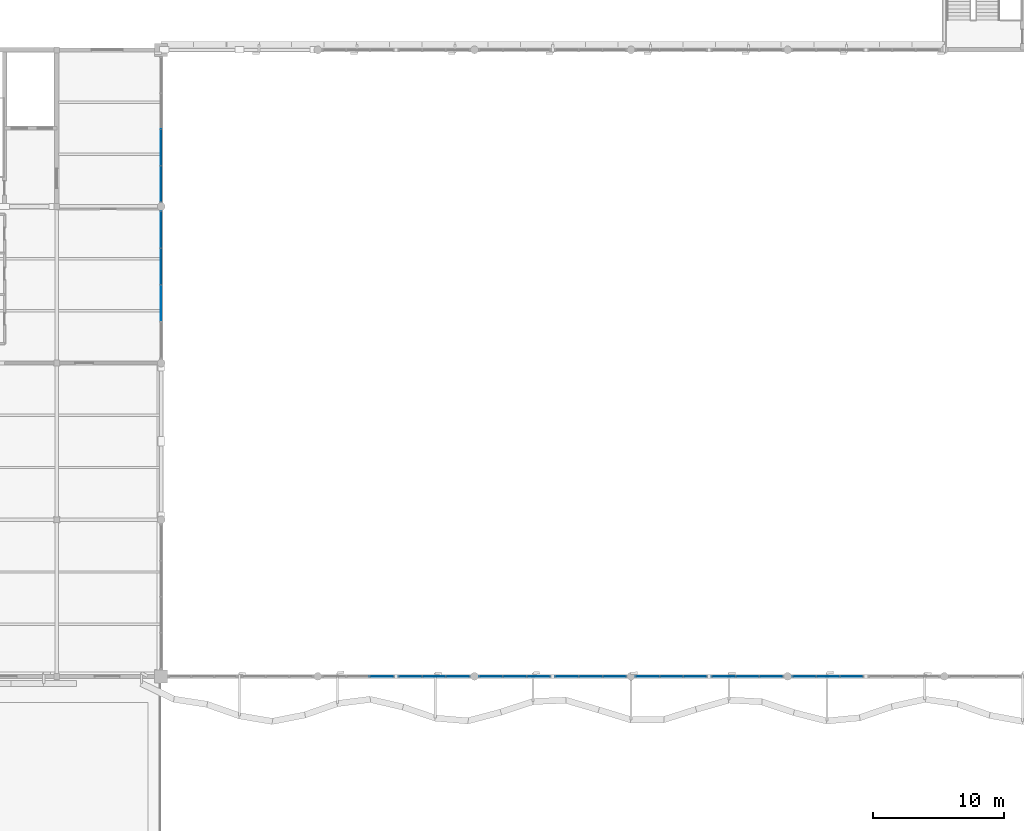
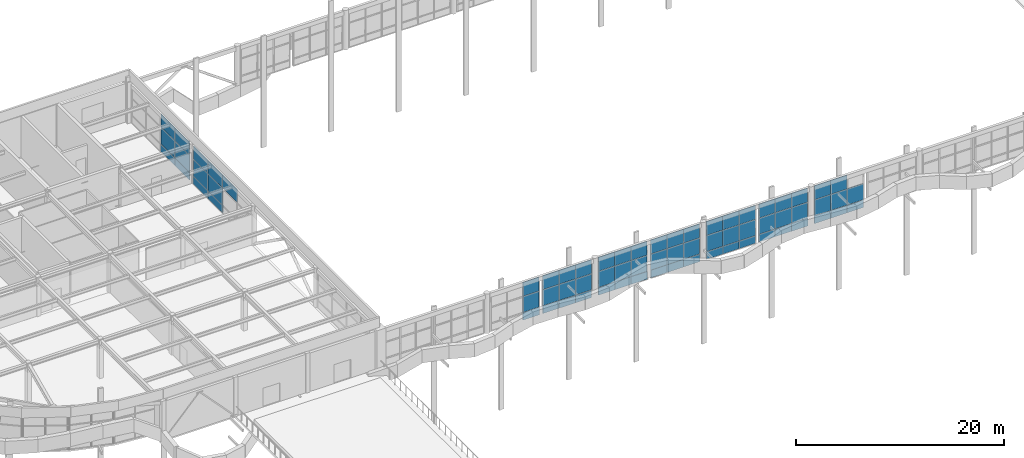
# One storey, part 35 of 63: 69 plates, 9 elements without a shape of their own.
"""IFC4 building model written with IfcOpenShell, lengths in metres."""

from ifc_helpers import new_model, si_unit, direction, frame, origin, origin_2d, place, context, subcontext, project, spatial, rectangle, extrude, material, layer, layer_set, type_object, element, aggregate, save


model = new_model("IFC4")

# Units and contexts
model_context = context("Model", 3, precision=1e-05, world=origin(), true_north=direction((0.0, 1.0)))
body_context = subcontext(model_context, "Body", "Model", "MODEL_VIEW")
ifc_project = project(units=[si_unit("LENGTHUNIT", "METRE"), si_unit("AREAUNIT", "SQUARE_METRE"), si_unit("VOLUMEUNIT", "CUBIC_METRE"), si_unit("PLANEANGLEUNIT", "RADIAN"), si_unit("MASSUNIT", "GRAM", prefix="KILO")], contexts=[model_context])

# Site, building, storey
site_placement = place(None, origin())
site = spatial("IfcSite", under=ifc_project, at=site_placement, CompositionType="ELEMENT")
building_placement = place(site_placement, origin())
building = spatial("IfcBuilding", under=site, at=building_placement, Name="Keelwater Ferry Terminal", CompositionType="ELEMENT")
storey_placement = place(building_placement, frame((0.0, 0.0, 10.199951171875)))
storey = spatial("IfcBuildingStorey", under=building, at=storey_placement, Name="L02", CompositionType="ELEMENT", Elevation=10.199951171875)

# Curtain wall, plate
ifc_material_1 = material(Name="Thermally broken unitised aluminium and triple glass", Category="aluminium")
ifc_layer_1 = layer(ifc_material_1, 0.179931640625)
ifc_layer_set_1 = layer_set([ifc_layer_1], Name="Thermally broken unitised aluminium and triple glass")
curtain_wall_type_1 = type_object("IfcCurtainWallType", Name="CW-04 Unitised Curtain Wall 5430x4450", PredefinedType="USERDEFINED", material=ifc_layer_set_1)
curtain_wall_1_placement = place(storey_placement, origin())
curtain_wall_1 = element("IfcCurtainWall", 1, at=curtain_wall_1_placement, inside=storey, type_object=curtain_wall_type_1, Name="Unitised Curtain Wall CW-L02-013", ObjectType="UNITISED CURTAIN WALL", PredefinedType="USERDEFINED")
ifc_material_2 = material(Name="Insulated white cassette spandrel", Category="aluminium")
ifc_layer_2 = layer(ifc_material_2, 0.094970703125)
ifc_layer_set_2 = layer_set([ifc_layer_2], Name="Insulated white cassette spandrel")
plate_type_1 = type_object("IfcPlateType", Name="CWP-S2 Insulated Spandrel Panel 95", PredefinedType="CURTAIN_PANEL", material=ifc_layer_set_2)
plate_1_placement = place(storey_placement, frame((64.89990234375, 42.0, 0.0), z_axis=(0.0, 0.0, 1.0), x_axis=(1.0, 0.0, 0.0)))
plate_1 = element("IfcPlate", 2, at=plate_1_placement, type_object=plate_type_1, Name="CW-L02-013 Panel 3.1", PredefinedType="CURTAIN_PANEL", context=body_context, shape_type="SweptSolid", body=[
    extrude(rectangle(XDim=1.81005859375, YDim=0.094970703125, at=origin_2d()), origin(), (0.0, 0.0, 1.0), 0.89990234375),
])

# Curtain wall, plates
curtain_wall_2_placement = place(storey_placement, origin())
curtain_wall_2 = element("IfcCurtainWall", 3, at=curtain_wall_2_placement, inside=storey, type_object=curtain_wall_type_1, Name="Unitised Curtain Wall CW-L02-014", ObjectType="UNITISED CURTAIN WALL", PredefinedType="USERDEFINED")
plate_2_placement = place(storey_placement, frame((67.10009765625, 42.0, 0.0), z_axis=(0.0, 0.0, 1.0), x_axis=(1.0, 0.0, 0.0)))
plate_2 = element("IfcPlate", 4, at=plate_2_placement, type_object=plate_type_1, Name="CW-L02-014 Panel 1.1", PredefinedType="CURTAIN_PANEL", context=body_context, shape_type="SweptSolid", body=[
    extrude(rectangle(XDim=1.81005859375, YDim=0.094970703125, at=origin_2d()), origin(), (0.0, 0.0, 1.0), 0.89990234375),
])
plate_3_placement = place(storey_placement, frame((68.909912109375, 42.0, 0.0), z_axis=(0.0, 0.0, 1.0), x_axis=(1.0, 0.0, 0.0)))
plate_3 = element("IfcPlate", 5, at=plate_3_placement, type_object=plate_type_1, Name="CW-L02-014 Panel 2.1", PredefinedType="CURTAIN_PANEL", context=body_context, shape_type="SweptSolid", body=[
    extrude(rectangle(XDim=1.81005859375, YDim=0.094970703125, at=origin_2d()), origin(), (0.0, 0.0, 1.0), 0.89990234375),
])
plate_4_placement = place(storey_placement, frame((70.719970703125, 42.0, 0.0), z_axis=(0.0, 0.0, 1.0), x_axis=(1.0, 0.0, 0.0)))
plate_4 = element("IfcPlate", 6, at=plate_4_placement, type_object=plate_type_1, Name="CW-L02-014 Panel 3.1", PredefinedType="CURTAIN_PANEL", context=body_context, shape_type="SweptSolid", body=[
    extrude(rectangle(XDim=1.81005859375, YDim=0.094970703125, at=origin_2d()), origin(), (0.0, 0.0, 1.0), 0.89990234375),
])

curtain_wall_3_placement = place(storey_placement, origin())
curtain_wall_3 = element("IfcCurtainWall", 7, at=curtain_wall_3_placement, inside=storey, type_object=curtain_wall_type_1, Name="Unitised Curtain Wall CW-L02-015", ObjectType="UNITISED CURTAIN WALL", PredefinedType="USERDEFINED")
plate_5_placement = place(storey_placement, frame((73.280029296875, 42.0, 0.0), z_axis=(0.0, 0.0, 1.0), x_axis=(1.0, 0.0, 0.0)))
plate_5 = element("IfcPlate", 8, at=plate_5_placement, type_object=plate_type_1, Name="CW-L02-015 Panel 1.1", PredefinedType="CURTAIN_PANEL", context=body_context, shape_type="SweptSolid", body=[
    extrude(rectangle(XDim=1.81005859375, YDim=0.094970703125, at=origin_2d()), origin(), (0.0, 0.0, 1.0), 0.89990234375),
])
plate_6_placement = place(storey_placement, frame((75.090087890625, 42.0, 0.0), z_axis=(0.0, 0.0, 1.0), x_axis=(1.0, 0.0, 0.0)))
plate_6 = element("IfcPlate", 9, at=plate_6_placement, type_object=plate_type_1, Name="CW-L02-015 Panel 2.1", PredefinedType="CURTAIN_PANEL", context=body_context, shape_type="SweptSolid", body=[
    extrude(rectangle(XDim=1.81005859375, YDim=0.094970703125, at=origin_2d()), origin(), (0.0, 0.0, 1.0), 0.89990234375),
])
plate_7_placement = place(storey_placement, frame((76.89990234375, 42.0, 0.0), z_axis=(0.0, 0.0, 1.0), x_axis=(1.0, 0.0, 0.0)))
plate_7 = element("IfcPlate", 10, at=plate_7_placement, type_object=plate_type_1, Name="CW-L02-015 Panel 3.1", PredefinedType="CURTAIN_PANEL", context=body_context, shape_type="SweptSolid", body=[
    extrude(rectangle(XDim=1.81005859375, YDim=0.094970703125, at=origin_2d()), origin(), (0.0, 0.0, 1.0), 0.89990234375),
])

curtain_wall_4_placement = place(storey_placement, origin())
curtain_wall_4 = element("IfcCurtainWall", 11, at=curtain_wall_4_placement, inside=storey, type_object=curtain_wall_type_1, Name="Unitised Curtain Wall CW-L02-016", ObjectType="UNITISED CURTAIN WALL", PredefinedType="USERDEFINED")
plate_8_placement = place(storey_placement, frame((79.10009765625, 42.0, 0.0), z_axis=(0.0, 0.0, 1.0), x_axis=(1.0, 0.0, 0.0)))
plate_8 = element("IfcPlate", 12, at=plate_8_placement, type_object=plate_type_1, Name="CW-L02-016 Panel 1.1", PredefinedType="CURTAIN_PANEL", context=body_context, shape_type="SweptSolid", body=[
    extrude(rectangle(XDim=1.81005859375, YDim=0.094970703125, at=origin_2d()), origin(), (0.0, 0.0, 1.0), 0.89990234375),
])
plate_9_placement = place(storey_placement, frame((80.909912109375, 42.0, 0.0), z_axis=(0.0, 0.0, 1.0), x_axis=(1.0, 0.0, 0.0)))
plate_9 = element("IfcPlate", 13, at=plate_9_placement, type_object=plate_type_1, Name="CW-L02-016 Panel 2.1", PredefinedType="CURTAIN_PANEL", context=body_context, shape_type="SweptSolid", body=[
    extrude(rectangle(XDim=1.81005859375, YDim=0.094970703125, at=origin_2d()), origin(), (0.0, 0.0, 1.0), 0.89990234375),
])
plate_10_placement = place(storey_placement, frame((82.719970703125, 42.0, 0.0), z_axis=(0.0, 0.0, 1.0), x_axis=(1.0, 0.0, 0.0)))
plate_10 = element("IfcPlate", 14, at=plate_10_placement, type_object=plate_type_1, Name="CW-L02-016 Panel 3.1", PredefinedType="CURTAIN_PANEL", context=body_context, shape_type="SweptSolid", body=[
    extrude(rectangle(XDim=1.81005859375, YDim=0.094970703125, at=origin_2d()), origin(), (0.0, 0.0, 1.0), 0.89990234375),
])

curtain_wall_5_placement = place(storey_placement, origin())
curtain_wall_5 = element("IfcCurtainWall", 15, at=curtain_wall_5_placement, inside=storey, type_object=curtain_wall_type_1, Name="Unitised Curtain Wall CW-L02-017", ObjectType="UNITISED CURTAIN WALL", PredefinedType="USERDEFINED")
plate_11_placement = place(storey_placement, frame((85.280029296875, 42.0, 0.0), z_axis=(0.0, 0.0, 1.0), x_axis=(1.0, 0.0, 0.0)))
plate_11 = element("IfcPlate", 16, at=plate_11_placement, type_object=plate_type_1, Name="CW-L02-017 Panel 1.1", PredefinedType="CURTAIN_PANEL", context=body_context, shape_type="SweptSolid", body=[
    extrude(rectangle(XDim=1.81005859375, YDim=0.094970703125, at=origin_2d()), origin(), (0.0, 0.0, 1.0), 0.89990234375),
])
plate_12_placement = place(storey_placement, frame((87.090087890625, 42.0, 0.0), z_axis=(0.0, 0.0, 1.0), x_axis=(1.0, 0.0, 0.0)))
plate_12 = element("IfcPlate", 17, at=plate_12_placement, type_object=plate_type_1, Name="CW-L02-017 Panel 2.1", PredefinedType="CURTAIN_PANEL", context=body_context, shape_type="SweptSolid", body=[
    extrude(rectangle(XDim=1.81005859375, YDim=0.094970703125, at=origin_2d()), origin(), (0.0, 0.0, 1.0), 0.89990234375),
])
plate_13_placement = place(storey_placement, frame((88.89990234375, 42.0, 0.0), z_axis=(0.0, 0.0, 1.0), x_axis=(1.0, 0.0, 0.0)))
plate_13 = element("IfcPlate", 18, at=plate_13_placement, type_object=plate_type_1, Name="CW-L02-017 Panel 3.1", PredefinedType="CURTAIN_PANEL", context=body_context, shape_type="SweptSolid", body=[
    extrude(rectangle(XDim=1.81005859375, YDim=0.094970703125, at=origin_2d()), origin(), (0.0, 0.0, 1.0), 0.89990234375),
])

curtain_wall_6_placement = place(storey_placement, origin())
curtain_wall_6 = element("IfcCurtainWall", 19, at=curtain_wall_6_placement, inside=storey, type_object=curtain_wall_type_1, Name="Unitised Curtain Wall CW-L02-018", ObjectType="UNITISED CURTAIN WALL", PredefinedType="USERDEFINED")
plate_14_placement = place(storey_placement, frame((91.10009765625, 42.0, 0.0), z_axis=(0.0, 0.0, 1.0), x_axis=(1.0, 0.0, 0.0)))
plate_14 = element("IfcPlate", 20, at=plate_14_placement, type_object=plate_type_1, Name="CW-L02-018 Panel 1.1", PredefinedType="CURTAIN_PANEL", context=body_context, shape_type="SweptSolid", body=[
    extrude(rectangle(XDim=1.81005859375, YDim=0.094970703125, at=origin_2d()), origin(), (0.0, 0.0, 1.0), 0.89990234375),
])
plate_15_placement = place(storey_placement, frame((92.909912109375, 42.0, 0.0), z_axis=(0.0, 0.0, 1.0), x_axis=(1.0, 0.0, 0.0)))
plate_15 = element("IfcPlate", 21, at=plate_15_placement, type_object=plate_type_1, Name="CW-L02-018 Panel 2.1", PredefinedType="CURTAIN_PANEL", context=body_context, shape_type="SweptSolid", body=[
    extrude(rectangle(XDim=1.81005859375, YDim=0.094970703125, at=origin_2d()), origin(), (0.0, 0.0, 1.0), 0.89990234375),
])
plate_16_placement = place(storey_placement, frame((94.719970703125, 42.0, 0.0), z_axis=(0.0, 0.0, 1.0), x_axis=(1.0, 0.0, 0.0)))
plate_16 = element("IfcPlate", 22, at=plate_16_placement, type_object=plate_type_1, Name="CW-L02-018 Panel 3.1", PredefinedType="CURTAIN_PANEL", context=body_context, shape_type="SweptSolid", body=[
    extrude(rectangle(XDim=1.81005859375, YDim=0.094970703125, at=origin_2d()), origin(), (0.0, 0.0, 1.0), 0.89990234375),
])

curtain_wall_7_placement = place(storey_placement, origin())
curtain_wall_7 = element("IfcCurtainWall", 23, at=curtain_wall_7_placement, inside=storey, type_object=curtain_wall_type_1, Name="Unitised Curtain Wall CW-L02-019", ObjectType="UNITISED CURTAIN WALL", PredefinedType="USERDEFINED")
plate_17_placement = place(storey_placement, frame((97.280029296875, 42.0, 0.0), z_axis=(0.0, 0.0, 1.0), x_axis=(1.0, 0.0, 0.0)))
plate_17 = element("IfcPlate", 24, at=plate_17_placement, type_object=plate_type_1, Name="CW-L02-019 Panel 1.1", PredefinedType="CURTAIN_PANEL", context=body_context, shape_type="SweptSolid", body=[
    extrude(rectangle(XDim=1.81005859375, YDim=0.094970703125, at=origin_2d()), origin(), (0.0, 0.0, 1.0), 0.89990234375),
])
plate_18_placement = place(storey_placement, frame((99.090087890625, 42.0, 0.0), z_axis=(0.0, 0.0, 1.0), x_axis=(1.0, 0.0, 0.0)))
plate_18 = element("IfcPlate", 25, at=plate_18_placement, type_object=plate_type_1, Name="CW-L02-019 Panel 2.1", PredefinedType="CURTAIN_PANEL", context=body_context, shape_type="SweptSolid", body=[
    extrude(rectangle(XDim=1.81005859375, YDim=0.094970703125, at=origin_2d()), origin(), (0.0, 0.0, 1.0), 0.89990234375),
])
plate_19_placement = place(storey_placement, frame((100.89990234375, 42.0, 0.0), z_axis=(0.0, 0.0, 1.0), x_axis=(1.0, 0.0, 0.0)))
plate_19 = element("IfcPlate", 26, at=plate_19_placement, type_object=plate_type_1, Name="CW-L02-019 Panel 3.1", PredefinedType="CURTAIN_PANEL", context=body_context, shape_type="SweptSolid", body=[
    extrude(rectangle(XDim=1.81005859375, YDim=0.094970703125, at=origin_2d()), origin(), (0.0, 0.0, 1.0), 0.89990234375),
])

ifc_material_3 = material(Name="Thermally broken unitised aluminium and triple glass", Category="aluminium")
ifc_layer_3 = layer(ifc_material_3, 0.179931640625)
ifc_layer_set_3 = layer_set([ifc_layer_3], Name="Thermally broken unitised aluminium and triple glass")
curtain_wall_type_2 = type_object("IfcCurtainWallType", Name="CW-15 Unitised Curtain Wall 11250x4450", PredefinedType="USERDEFINED", material=ifc_layer_set_3)
curtain_wall_8_placement = place(storey_placement, origin())
curtain_wall_8 = element("IfcCurtainWall", 27, at=curtain_wall_8_placement, inside=storey, type_object=curtain_wall_type_2, Name="Unitised Curtain Wall CW-L02-072", ObjectType="UNITISED CURTAIN WALL", PredefinedType="USERDEFINED")
plate_20_placement = place(storey_placement, frame((48.0, 73.40625, 0.0), z_axis=(0.0, 0.0, 1.0), x_axis=(0.0, 1.0, 0.0)))
plate_20 = element("IfcPlate", 28, at=plate_20_placement, type_object=plate_type_1, Name="CW-L02-072 Panel 3.1", PredefinedType="CURTAIN_PANEL", context=body_context, shape_type="SweptSolid", body=[
    extrude(rectangle(XDim=2.8125, YDim=0.094970703125, at=origin_2d()), origin(), (0.0, 0.0, 1.0), 0.89990234375),
])
plate_21_placement = place(storey_placement, frame((48.0, 76.21875, 0.0), z_axis=(0.0, 0.0, 1.0), x_axis=(0.0, 1.0, 0.0)))
plate_21 = element("IfcPlate", 29, at=plate_21_placement, type_object=plate_type_1, Name="CW-L02-072 Panel 4.1", PredefinedType="CURTAIN_PANEL", context=body_context, shape_type="SweptSolid", body=[
    extrude(rectangle(XDim=2.8125, YDim=0.094970703125, at=origin_2d()), origin(), (0.0, 0.0, 1.0), 0.89990234375),
])

ifc_material_4 = material(Name="Thermally broken unitised aluminium and triple glass", Category="aluminium")
ifc_layer_4 = layer(ifc_material_4, 0.179931640625)
ifc_layer_set_4 = layer_set([ifc_layer_4], Name="Thermally broken unitised aluminium and triple glass")
curtain_wall_type_3 = type_object("IfcCurtainWallType", Name="CW-14 Unitised Curtain Wall 11050x4450", PredefinedType="USERDEFINED", material=ifc_layer_set_4)
curtain_wall_9_placement = place(storey_placement, origin())
curtain_wall_9 = element("IfcCurtainWall", 30, at=curtain_wall_9_placement, inside=storey, type_object=curtain_wall_type_3, Name="Unitised Curtain Wall CW-L02-073", ObjectType="UNITISED CURTAIN WALL", PredefinedType="USERDEFINED")
plate_22_placement = place(storey_placement, frame((48.0, 79.75634765625, 0.0), z_axis=(0.0, 0.0, 1.0), x_axis=(0.0, 1.0, 0.0)))
plate_22 = element("IfcPlate", 31, at=plate_22_placement, type_object=plate_type_1, Name="CW-L02-073 Panel 1.1", PredefinedType="CURTAIN_PANEL", context=body_context, shape_type="SweptSolid", body=[
    extrude(rectangle(XDim=2.762451171875, YDim=0.094970703125, at=origin_2d()), origin(), (0.0, 0.0, 1.0), 0.89990234375),
])
plate_23_placement = place(storey_placement, frame((48.0, 82.518798828125, 0.0), z_axis=(0.0, 0.0, 1.0), x_axis=(0.0, 1.0, 0.0)))
plate_23 = element("IfcPlate", 32, at=plate_23_placement, type_object=plate_type_1, Name="CW-L02-073 Panel 2.1", PredefinedType="CURTAIN_PANEL", context=body_context, shape_type="SweptSolid", body=[
    extrude(rectangle(XDim=2.762451171875, YDim=0.094970703125, at=origin_2d()), origin(), (0.0, 0.0, 1.0), 0.89990234375),
])

# Plate
ifc_material_5 = material(Name="Triple solar-control glass", Category="glass")
ifc_layer_5 = layer(ifc_material_5, 0.0419921875)
ifc_layer_set_5 = layer_set([ifc_layer_5], Name="Triple solar-control glass")
plate_type_2 = type_object("IfcPlateType", Name="CWP-V2 Glazed Vision Panel 42", PredefinedType="CURTAIN_PANEL", material=ifc_layer_set_5)
plate_24_placement = place(storey_placement, frame((64.89990234375, 42.0, 0.900146484375), z_axis=(0.0, 0.0, 1.0), x_axis=(1.0, 0.0, 0.0)))
plate_24 = element("IfcPlate", 33, at=plate_24_placement, type_object=plate_type_2, Name="CW-L02-013 Panel 3.2", PredefinedType="CURTAIN_PANEL", context=body_context, shape_type="SweptSolid", body=[
    extrude(rectangle(XDim=1.81005859375, YDim=0.0419921875, at=origin_2d()), origin(), (0.0, 0.0, 1.0), 1.89990234375),
])

plate_25_placement = place(storey_placement, frame((64.89990234375, 42.0, 2.800048828125), z_axis=(0.0, 0.0, 1.0), x_axis=(1.0, 0.0, 0.0)))
plate_25 = element("IfcPlate", 34, at=plate_25_placement, type_object=plate_type_2, Name="CW-L02-013 Panel 3.3", PredefinedType="CURTAIN_PANEL", context=body_context, shape_type="SweptSolid", body=[
    extrude(rectangle(XDim=1.81005859375, YDim=0.0419921875, at=origin_2d()), origin(), (0.0, 0.0, 1.0), 1.64990234375),
])

aggregate(curtain_wall_1, [plate_1, plate_24, plate_25])

plate_26_placement = place(storey_placement, frame((67.10009765625, 42.0, 0.900146484375), z_axis=(0.0, 0.0, 1.0), x_axis=(1.0, 0.0, 0.0)))
plate_26 = element("IfcPlate", 35, at=plate_26_placement, type_object=plate_type_2, Name="CW-L02-014 Panel 1.2", PredefinedType="CURTAIN_PANEL", context=body_context, shape_type="SweptSolid", body=[
    extrude(rectangle(XDim=1.81005859375, YDim=0.0419921875, at=origin_2d()), origin(), (0.0, 0.0, 1.0), 1.89990234375),
])

plate_27_placement = place(storey_placement, frame((67.10009765625, 42.0, 2.800048828125), z_axis=(0.0, 0.0, 1.0), x_axis=(1.0, 0.0, 0.0)))
plate_27 = element("IfcPlate", 36, at=plate_27_placement, type_object=plate_type_2, Name="CW-L02-014 Panel 1.3", PredefinedType="CURTAIN_PANEL", context=body_context, shape_type="SweptSolid", body=[
    extrude(rectangle(XDim=1.81005859375, YDim=0.0419921875, at=origin_2d()), origin(), (0.0, 0.0, 1.0), 1.64990234375),
])

plate_28_placement = place(storey_placement, frame((68.909912109375, 42.0, 0.900146484375), z_axis=(0.0, 0.0, 1.0), x_axis=(1.0, 0.0, 0.0)))
plate_28 = element("IfcPlate", 37, at=plate_28_placement, type_object=plate_type_2, Name="CW-L02-014 Panel 2.2", PredefinedType="CURTAIN_PANEL", context=body_context, shape_type="SweptSolid", body=[
    extrude(rectangle(XDim=1.81005859375, YDim=0.0419921875, at=origin_2d()), origin(), (0.0, 0.0, 1.0), 1.89990234375),
])

plate_29_placement = place(storey_placement, frame((68.909912109375, 42.0, 2.800048828125), z_axis=(0.0, 0.0, 1.0), x_axis=(1.0, 0.0, 0.0)))
plate_29 = element("IfcPlate", 38, at=plate_29_placement, type_object=plate_type_2, Name="CW-L02-014 Panel 2.3", PredefinedType="CURTAIN_PANEL", context=body_context, shape_type="SweptSolid", body=[
    extrude(rectangle(XDim=1.81005859375, YDim=0.0419921875, at=origin_2d()), origin(), (0.0, 0.0, 1.0), 1.64990234375),
])

plate_30_placement = place(storey_placement, frame((70.719970703125, 42.0, 0.900146484375), z_axis=(0.0, 0.0, 1.0), x_axis=(1.0, 0.0, 0.0)))
plate_30 = element("IfcPlate", 39, at=plate_30_placement, type_object=plate_type_2, Name="CW-L02-014 Panel 3.2", PredefinedType="CURTAIN_PANEL", context=body_context, shape_type="SweptSolid", body=[
    extrude(rectangle(XDim=1.81005859375, YDim=0.0419921875, at=origin_2d()), origin(), (0.0, 0.0, 1.0), 1.89990234375),
])

plate_31_placement = place(storey_placement, frame((70.719970703125, 42.0, 2.800048828125), z_axis=(0.0, 0.0, 1.0), x_axis=(1.0, 0.0, 0.0)))
plate_31 = element("IfcPlate", 40, at=plate_31_placement, type_object=plate_type_2, Name="CW-L02-014 Panel 3.3", PredefinedType="CURTAIN_PANEL", context=body_context, shape_type="SweptSolid", body=[
    extrude(rectangle(XDim=1.81005859375, YDim=0.0419921875, at=origin_2d()), origin(), (0.0, 0.0, 1.0), 1.64990234375),
])

aggregate(curtain_wall_2, [plate_2, plate_26, plate_27, plate_3, plate_28, plate_29, plate_4, plate_30, plate_31])

plate_32_placement = place(storey_placement, frame((73.280029296875, 42.0, 0.900146484375), z_axis=(0.0, 0.0, 1.0), x_axis=(1.0, 0.0, 0.0)))
plate_32 = element("IfcPlate", 41, at=plate_32_placement, type_object=plate_type_2, Name="CW-L02-015 Panel 1.2", PredefinedType="CURTAIN_PANEL", context=body_context, shape_type="SweptSolid", body=[
    extrude(rectangle(XDim=1.81005859375, YDim=0.0419921875, at=origin_2d()), origin(), (0.0, 0.0, 1.0), 1.89990234375),
])

plate_33_placement = place(storey_placement, frame((73.280029296875, 42.0, 2.800048828125), z_axis=(0.0, 0.0, 1.0), x_axis=(1.0, 0.0, 0.0)))
plate_33 = element("IfcPlate", 42, at=plate_33_placement, type_object=plate_type_2, Name="CW-L02-015 Panel 1.3", PredefinedType="CURTAIN_PANEL", context=body_context, shape_type="SweptSolid", body=[
    extrude(rectangle(XDim=1.81005859375, YDim=0.0419921875, at=origin_2d()), origin(), (0.0, 0.0, 1.0), 1.64990234375),
])

plate_34_placement = place(storey_placement, frame((75.090087890625, 42.0, 0.900146484375), z_axis=(0.0, 0.0, 1.0), x_axis=(1.0, 0.0, 0.0)))
plate_34 = element("IfcPlate", 43, at=plate_34_placement, type_object=plate_type_2, Name="CW-L02-015 Panel 2.2", PredefinedType="CURTAIN_PANEL", context=body_context, shape_type="SweptSolid", body=[
    extrude(rectangle(XDim=1.81005859375, YDim=0.0419921875, at=origin_2d()), origin(), (0.0, 0.0, 1.0), 1.89990234375),
])

plate_35_placement = place(storey_placement, frame((75.090087890625, 42.0, 2.800048828125), z_axis=(0.0, 0.0, 1.0), x_axis=(1.0, 0.0, 0.0)))
plate_35 = element("IfcPlate", 44, at=plate_35_placement, type_object=plate_type_2, Name="CW-L02-015 Panel 2.3", PredefinedType="CURTAIN_PANEL", context=body_context, shape_type="SweptSolid", body=[
    extrude(rectangle(XDim=1.81005859375, YDim=0.0419921875, at=origin_2d()), origin(), (0.0, 0.0, 1.0), 1.64990234375),
])

plate_36_placement = place(storey_placement, frame((76.89990234375, 42.0, 0.900146484375), z_axis=(0.0, 0.0, 1.0), x_axis=(1.0, 0.0, 0.0)))
plate_36 = element("IfcPlate", 45, at=plate_36_placement, type_object=plate_type_2, Name="CW-L02-015 Panel 3.2", PredefinedType="CURTAIN_PANEL", context=body_context, shape_type="SweptSolid", body=[
    extrude(rectangle(XDim=1.81005859375, YDim=0.0419921875, at=origin_2d()), origin(), (0.0, 0.0, 1.0), 1.89990234375),
])

plate_37_placement = place(storey_placement, frame((76.89990234375, 42.0, 2.800048828125), z_axis=(0.0, 0.0, 1.0), x_axis=(1.0, 0.0, 0.0)))
plate_37 = element("IfcPlate", 46, at=plate_37_placement, type_object=plate_type_2, Name="CW-L02-015 Panel 3.3", PredefinedType="CURTAIN_PANEL", context=body_context, shape_type="SweptSolid", body=[
    extrude(rectangle(XDim=1.81005859375, YDim=0.0419921875, at=origin_2d()), origin(), (0.0, 0.0, 1.0), 1.64990234375),
])

aggregate(curtain_wall_3, [plate_5, plate_32, plate_33, plate_6, plate_34, plate_35, plate_7, plate_36, plate_37])

plate_38_placement = place(storey_placement, frame((79.10009765625, 42.0, 0.900146484375), z_axis=(0.0, 0.0, 1.0), x_axis=(1.0, 0.0, 0.0)))
plate_38 = element("IfcPlate", 47, at=plate_38_placement, type_object=plate_type_2, Name="CW-L02-016 Panel 1.2", PredefinedType="CURTAIN_PANEL", context=body_context, shape_type="SweptSolid", body=[
    extrude(rectangle(XDim=1.81005859375, YDim=0.0419921875, at=origin_2d()), origin(), (0.0, 0.0, 1.0), 1.89990234375),
])

plate_39_placement = place(storey_placement, frame((79.10009765625, 42.0, 2.800048828125), z_axis=(0.0, 0.0, 1.0), x_axis=(1.0, 0.0, 0.0)))
plate_39 = element("IfcPlate", 48, at=plate_39_placement, type_object=plate_type_2, Name="CW-L02-016 Panel 1.3", PredefinedType="CURTAIN_PANEL", context=body_context, shape_type="SweptSolid", body=[
    extrude(rectangle(XDim=1.81005859375, YDim=0.0419921875, at=origin_2d()), origin(), (0.0, 0.0, 1.0), 1.64990234375),
])

plate_40_placement = place(storey_placement, frame((80.909912109375, 42.0, 0.900146484375), z_axis=(0.0, 0.0, 1.0), x_axis=(1.0, 0.0, 0.0)))
plate_40 = element("IfcPlate", 49, at=plate_40_placement, type_object=plate_type_2, Name="CW-L02-016 Panel 2.2", PredefinedType="CURTAIN_PANEL", context=body_context, shape_type="SweptSolid", body=[
    extrude(rectangle(XDim=1.81005859375, YDim=0.0419921875, at=origin_2d()), origin(), (0.0, 0.0, 1.0), 1.89990234375),
])

plate_41_placement = place(storey_placement, frame((80.909912109375, 42.0, 2.800048828125), z_axis=(0.0, 0.0, 1.0), x_axis=(1.0, 0.0, 0.0)))
plate_41 = element("IfcPlate", 50, at=plate_41_placement, type_object=plate_type_2, Name="CW-L02-016 Panel 2.3", PredefinedType="CURTAIN_PANEL", context=body_context, shape_type="SweptSolid", body=[
    extrude(rectangle(XDim=1.81005859375, YDim=0.0419921875, at=origin_2d()), origin(), (0.0, 0.0, 1.0), 1.64990234375),
])

plate_42_placement = place(storey_placement, frame((82.719970703125, 42.0, 0.900146484375), z_axis=(0.0, 0.0, 1.0), x_axis=(1.0, 0.0, 0.0)))
plate_42 = element("IfcPlate", 51, at=plate_42_placement, type_object=plate_type_2, Name="CW-L02-016 Panel 3.2", PredefinedType="CURTAIN_PANEL", context=body_context, shape_type="SweptSolid", body=[
    extrude(rectangle(XDim=1.81005859375, YDim=0.0419921875, at=origin_2d()), origin(), (0.0, 0.0, 1.0), 1.89990234375),
])

plate_43_placement = place(storey_placement, frame((82.719970703125, 42.0, 2.800048828125), z_axis=(0.0, 0.0, 1.0), x_axis=(1.0, 0.0, 0.0)))
plate_43 = element("IfcPlate", 52, at=plate_43_placement, type_object=plate_type_2, Name="CW-L02-016 Panel 3.3", PredefinedType="CURTAIN_PANEL", context=body_context, shape_type="SweptSolid", body=[
    extrude(rectangle(XDim=1.81005859375, YDim=0.0419921875, at=origin_2d()), origin(), (0.0, 0.0, 1.0), 1.64990234375),
])

aggregate(curtain_wall_4, [plate_8, plate_38, plate_39, plate_9, plate_40, plate_41, plate_10, plate_42, plate_43])

plate_44_placement = place(storey_placement, frame((85.280029296875, 42.0, 0.900146484375), z_axis=(0.0, 0.0, 1.0), x_axis=(1.0, 0.0, 0.0)))
plate_44 = element("IfcPlate", 53, at=plate_44_placement, type_object=plate_type_2, Name="CW-L02-017 Panel 1.2", PredefinedType="CURTAIN_PANEL", context=body_context, shape_type="SweptSolid", body=[
    extrude(rectangle(XDim=1.81005859375, YDim=0.0419921875, at=origin_2d()), origin(), (0.0, 0.0, 1.0), 1.89990234375),
])

plate_45_placement = place(storey_placement, frame((85.280029296875, 42.0, 2.800048828125), z_axis=(0.0, 0.0, 1.0), x_axis=(1.0, 0.0, 0.0)))
plate_45 = element("IfcPlate", 54, at=plate_45_placement, type_object=plate_type_2, Name="CW-L02-017 Panel 1.3", PredefinedType="CURTAIN_PANEL", context=body_context, shape_type="SweptSolid", body=[
    extrude(rectangle(XDim=1.81005859375, YDim=0.0419921875, at=origin_2d()), origin(), (0.0, 0.0, 1.0), 1.64990234375),
])

plate_46_placement = place(storey_placement, frame((87.090087890625, 42.0, 0.900146484375), z_axis=(0.0, 0.0, 1.0), x_axis=(1.0, 0.0, 0.0)))
plate_46 = element("IfcPlate", 55, at=plate_46_placement, type_object=plate_type_2, Name="CW-L02-017 Panel 2.2", PredefinedType="CURTAIN_PANEL", context=body_context, shape_type="SweptSolid", body=[
    extrude(rectangle(XDim=1.81005859375, YDim=0.0419921875, at=origin_2d()), origin(), (0.0, 0.0, 1.0), 1.89990234375),
])

plate_47_placement = place(storey_placement, frame((87.090087890625, 42.0, 2.800048828125), z_axis=(0.0, 0.0, 1.0), x_axis=(1.0, 0.0, 0.0)))
plate_47 = element("IfcPlate", 56, at=plate_47_placement, type_object=plate_type_2, Name="CW-L02-017 Panel 2.3", PredefinedType="CURTAIN_PANEL", context=body_context, shape_type="SweptSolid", body=[
    extrude(rectangle(XDim=1.81005859375, YDim=0.0419921875, at=origin_2d()), origin(), (0.0, 0.0, 1.0), 1.64990234375),
])

plate_48_placement = place(storey_placement, frame((88.89990234375, 42.0, 0.900146484375), z_axis=(0.0, 0.0, 1.0), x_axis=(1.0, 0.0, 0.0)))
plate_48 = element("IfcPlate", 57, at=plate_48_placement, type_object=plate_type_2, Name="CW-L02-017 Panel 3.2", PredefinedType="CURTAIN_PANEL", context=body_context, shape_type="SweptSolid", body=[
    extrude(rectangle(XDim=1.81005859375, YDim=0.0419921875, at=origin_2d()), origin(), (0.0, 0.0, 1.0), 1.89990234375),
])

plate_49_placement = place(storey_placement, frame((88.89990234375, 42.0, 2.800048828125), z_axis=(0.0, 0.0, 1.0), x_axis=(1.0, 0.0, 0.0)))
plate_49 = element("IfcPlate", 58, at=plate_49_placement, type_object=plate_type_2, Name="CW-L02-017 Panel 3.3", PredefinedType="CURTAIN_PANEL", context=body_context, shape_type="SweptSolid", body=[
    extrude(rectangle(XDim=1.81005859375, YDim=0.0419921875, at=origin_2d()), origin(), (0.0, 0.0, 1.0), 1.64990234375),
])

aggregate(curtain_wall_5, [plate_11, plate_44, plate_45, plate_12, plate_46, plate_47, plate_13, plate_48, plate_49])

plate_50_placement = place(storey_placement, frame((91.10009765625, 42.0, 0.900146484375), z_axis=(0.0, 0.0, 1.0), x_axis=(1.0, 0.0, 0.0)))
plate_50 = element("IfcPlate", 59, at=plate_50_placement, type_object=plate_type_2, Name="CW-L02-018 Panel 1.2", PredefinedType="CURTAIN_PANEL", context=body_context, shape_type="SweptSolid", body=[
    extrude(rectangle(XDim=1.81005859375, YDim=0.0419921875, at=origin_2d()), origin(), (0.0, 0.0, 1.0), 1.89990234375),
])

plate_51_placement = place(storey_placement, frame((91.10009765625, 42.0, 2.800048828125), z_axis=(0.0, 0.0, 1.0), x_axis=(1.0, 0.0, 0.0)))
plate_51 = element("IfcPlate", 60, at=plate_51_placement, type_object=plate_type_2, Name="CW-L02-018 Panel 1.3", PredefinedType="CURTAIN_PANEL", context=body_context, shape_type="SweptSolid", body=[
    extrude(rectangle(XDim=1.81005859375, YDim=0.0419921875, at=origin_2d()), origin(), (0.0, 0.0, 1.0), 1.64990234375),
])

plate_52_placement = place(storey_placement, frame((92.909912109375, 42.0, 0.900146484375), z_axis=(0.0, 0.0, 1.0), x_axis=(1.0, 0.0, 0.0)))
plate_52 = element("IfcPlate", 61, at=plate_52_placement, type_object=plate_type_2, Name="CW-L02-018 Panel 2.2", PredefinedType="CURTAIN_PANEL", context=body_context, shape_type="SweptSolid", body=[
    extrude(rectangle(XDim=1.81005859375, YDim=0.0419921875, at=origin_2d()), origin(), (0.0, 0.0, 1.0), 1.89990234375),
])

plate_53_placement = place(storey_placement, frame((92.909912109375, 42.0, 2.800048828125), z_axis=(0.0, 0.0, 1.0), x_axis=(1.0, 0.0, 0.0)))
plate_53 = element("IfcPlate", 62, at=plate_53_placement, type_object=plate_type_2, Name="CW-L02-018 Panel 2.3", PredefinedType="CURTAIN_PANEL", context=body_context, shape_type="SweptSolid", body=[
    extrude(rectangle(XDim=1.81005859375, YDim=0.0419921875, at=origin_2d()), origin(), (0.0, 0.0, 1.0), 1.64990234375),
])

plate_54_placement = place(storey_placement, frame((94.719970703125, 42.0, 0.900146484375), z_axis=(0.0, 0.0, 1.0), x_axis=(1.0, 0.0, 0.0)))
plate_54 = element("IfcPlate", 63, at=plate_54_placement, type_object=plate_type_2, Name="CW-L02-018 Panel 3.2", PredefinedType="CURTAIN_PANEL", context=body_context, shape_type="SweptSolid", body=[
    extrude(rectangle(XDim=1.81005859375, YDim=0.0419921875, at=origin_2d()), origin(), (0.0, 0.0, 1.0), 1.89990234375),
])

plate_55_placement = place(storey_placement, frame((94.719970703125, 42.0, 2.800048828125), z_axis=(0.0, 0.0, 1.0), x_axis=(1.0, 0.0, 0.0)))
plate_55 = element("IfcPlate", 64, at=plate_55_placement, type_object=plate_type_2, Name="CW-L02-018 Panel 3.3", PredefinedType="CURTAIN_PANEL", context=body_context, shape_type="SweptSolid", body=[
    extrude(rectangle(XDim=1.81005859375, YDim=0.0419921875, at=origin_2d()), origin(), (0.0, 0.0, 1.0), 1.64990234375),
])

aggregate(curtain_wall_6, [plate_14, plate_50, plate_51, plate_15, plate_52, plate_53, plate_16, plate_54, plate_55])

plate_56_placement = place(storey_placement, frame((97.280029296875, 42.0, 0.900146484375), z_axis=(0.0, 0.0, 1.0), x_axis=(1.0, 0.0, 0.0)))
plate_56 = element("IfcPlate", 65, at=plate_56_placement, type_object=plate_type_2, Name="CW-L02-019 Panel 1.2", PredefinedType="CURTAIN_PANEL", context=body_context, shape_type="SweptSolid", body=[
    extrude(rectangle(XDim=1.81005859375, YDim=0.0419921875, at=origin_2d()), origin(), (0.0, 0.0, 1.0), 1.89990234375),
])

plate_57_placement = place(storey_placement, frame((97.280029296875, 42.0, 2.800048828125), z_axis=(0.0, 0.0, 1.0), x_axis=(1.0, 0.0, 0.0)))
plate_57 = element("IfcPlate", 66, at=plate_57_placement, type_object=plate_type_2, Name="CW-L02-019 Panel 1.3", PredefinedType="CURTAIN_PANEL", context=body_context, shape_type="SweptSolid", body=[
    extrude(rectangle(XDim=1.81005859375, YDim=0.0419921875, at=origin_2d()), origin(), (0.0, 0.0, 1.0), 1.64990234375),
])

plate_58_placement = place(storey_placement, frame((99.090087890625, 42.0, 0.900146484375), z_axis=(0.0, 0.0, 1.0), x_axis=(1.0, 0.0, 0.0)))
plate_58 = element("IfcPlate", 67, at=plate_58_placement, type_object=plate_type_2, Name="CW-L02-019 Panel 2.2", PredefinedType="CURTAIN_PANEL", context=body_context, shape_type="SweptSolid", body=[
    extrude(rectangle(XDim=1.81005859375, YDim=0.0419921875, at=origin_2d()), origin(), (0.0, 0.0, 1.0), 1.89990234375),
])

plate_59_placement = place(storey_placement, frame((99.090087890625, 42.0, 2.800048828125), z_axis=(0.0, 0.0, 1.0), x_axis=(1.0, 0.0, 0.0)))
plate_59 = element("IfcPlate", 68, at=plate_59_placement, type_object=plate_type_2, Name="CW-L02-019 Panel 2.3", PredefinedType="CURTAIN_PANEL", context=body_context, shape_type="SweptSolid", body=[
    extrude(rectangle(XDim=1.81005859375, YDim=0.0419921875, at=origin_2d()), origin(), (0.0, 0.0, 1.0), 1.64990234375),
])

plate_60_placement = place(storey_placement, frame((100.89990234375, 42.0, 0.900146484375), z_axis=(0.0, 0.0, 1.0), x_axis=(1.0, 0.0, 0.0)))
plate_60 = element("IfcPlate", 69, at=plate_60_placement, type_object=plate_type_2, Name="CW-L02-019 Panel 3.2", PredefinedType="CURTAIN_PANEL", context=body_context, shape_type="SweptSolid", body=[
    extrude(rectangle(XDim=1.81005859375, YDim=0.0419921875, at=origin_2d()), origin(), (0.0, 0.0, 1.0), 1.89990234375),
])

aggregate(curtain_wall_7, [plate_17, plate_56, plate_57, plate_18, plate_58, plate_59, plate_19, plate_60])

plate_61_placement = place(storey_placement, frame((48.0, 70.59375, 2.89990234375), z_axis=(0.0, 0.0, 1.0), x_axis=(0.0, 1.0, 0.0)))
plate_61 = element("IfcPlate", 70, at=plate_61_placement, type_object=plate_type_2, Name="CW-L02-072 Panel 2.3", PredefinedType="CURTAIN_PANEL", context=body_context, shape_type="SweptSolid", body=[
    extrude(rectangle(XDim=2.8125, YDim=0.0419921875, at=origin_2d()), origin(), (0.0, 0.0, 1.0), 1.550048828125),
])

plate_62_placement = place(storey_placement, frame((48.0, 73.40625, 0.900146484375), z_axis=(0.0, 0.0, 1.0), x_axis=(0.0, 1.0, 0.0)))
plate_62 = element("IfcPlate", 71, at=plate_62_placement, type_object=plate_type_2, Name="CW-L02-072 Panel 3.2", PredefinedType="CURTAIN_PANEL", context=body_context, shape_type="SweptSolid", body=[
    extrude(rectangle(XDim=2.8125, YDim=0.0419921875, at=origin_2d()), origin(), (0.0, 0.0, 1.0), 2.0),
])

plate_63_placement = place(storey_placement, frame((48.0, 73.40625, 2.89990234375), z_axis=(0.0, 0.0, 1.0), x_axis=(0.0, 1.0, 0.0)))
plate_63 = element("IfcPlate", 72, at=plate_63_placement, type_object=plate_type_2, Name="CW-L02-072 Panel 3.3", PredefinedType="CURTAIN_PANEL", context=body_context, shape_type="SweptSolid", body=[
    extrude(rectangle(XDim=2.8125, YDim=0.0419921875, at=origin_2d()), origin(), (0.0, 0.0, 1.0), 1.550048828125),
])

plate_64_placement = place(storey_placement, frame((48.0, 76.21875, 0.900146484375), z_axis=(0.0, 0.0, 1.0), x_axis=(0.0, 1.0, 0.0)))
plate_64 = element("IfcPlate", 73, at=plate_64_placement, type_object=plate_type_2, Name="CW-L02-072 Panel 4.2", PredefinedType="CURTAIN_PANEL", context=body_context, shape_type="SweptSolid", body=[
    extrude(rectangle(XDim=2.8125, YDim=0.0419921875, at=origin_2d()), origin(), (0.0, 0.0, 1.0), 2.0),
])

plate_65_placement = place(storey_placement, frame((48.0, 76.21875, 2.89990234375), z_axis=(0.0, 0.0, 1.0), x_axis=(0.0, 1.0, 0.0)))
plate_65 = element("IfcPlate", 74, at=plate_65_placement, type_object=plate_type_2, Name="CW-L02-072 Panel 4.3", PredefinedType="CURTAIN_PANEL", context=body_context, shape_type="SweptSolid", body=[
    extrude(rectangle(XDim=2.8125, YDim=0.0419921875, at=origin_2d()), origin(), (0.0, 0.0, 1.0), 1.550048828125),
])

aggregate(curtain_wall_8, [plate_61, plate_20, plate_62, plate_63, plate_21, plate_64, plate_65])

plate_66_placement = place(storey_placement, frame((48.0, 79.75634765625, 0.900146484375), z_axis=(0.0, 0.0, 1.0), x_axis=(0.0, 1.0, 0.0)))
plate_66 = element("IfcPlate", 75, at=plate_66_placement, type_object=plate_type_2, Name="CW-L02-073 Panel 1.2", PredefinedType="CURTAIN_PANEL", context=body_context, shape_type="SweptSolid", body=[
    extrude(rectangle(XDim=2.762451171875, YDim=0.0419921875, at=origin_2d()), origin(), (0.0, 0.0, 1.0), 2.0),
])

plate_67_placement = place(storey_placement, frame((48.0, 79.75634765625, 2.89990234375), z_axis=(0.0, 0.0, 1.0), x_axis=(0.0, 1.0, 0.0)))
plate_67 = element("IfcPlate", 76, at=plate_67_placement, type_object=plate_type_2, Name="CW-L02-073 Panel 1.3", PredefinedType="CURTAIN_PANEL", context=body_context, shape_type="SweptSolid", body=[
    extrude(rectangle(XDim=2.762451171875, YDim=0.0419921875, at=origin_2d()), origin(), (0.0, 0.0, 1.0), 1.550048828125),
])

plate_68_placement = place(storey_placement, frame((48.0, 82.518798828125, 0.900146484375), z_axis=(0.0, 0.0, 1.0), x_axis=(0.0, 1.0, 0.0)))
plate_68 = element("IfcPlate", 77, at=plate_68_placement, type_object=plate_type_2, Name="CW-L02-073 Panel 2.2", PredefinedType="CURTAIN_PANEL", context=body_context, shape_type="SweptSolid", body=[
    extrude(rectangle(XDim=2.762451171875, YDim=0.0419921875, at=origin_2d()), origin(), (0.0, 0.0, 1.0), 2.0),
])

plate_69_placement = place(storey_placement, frame((48.0, 82.518798828125, 2.89990234375), z_axis=(0.0, 0.0, 1.0), x_axis=(0.0, 1.0, 0.0)))
plate_69 = element("IfcPlate", 78, at=plate_69_placement, type_object=plate_type_2, Name="CW-L02-073 Panel 2.3", PredefinedType="CURTAIN_PANEL", context=body_context, shape_type="SweptSolid", body=[
    extrude(rectangle(XDim=2.762451171875, YDim=0.0419921875, at=origin_2d()), origin(), (0.0, 0.0, 1.0), 1.550048828125),
])

aggregate(curtain_wall_9, [plate_22, plate_66, plate_67, plate_23, plate_68, plate_69])

save(model, "model.ifc")
